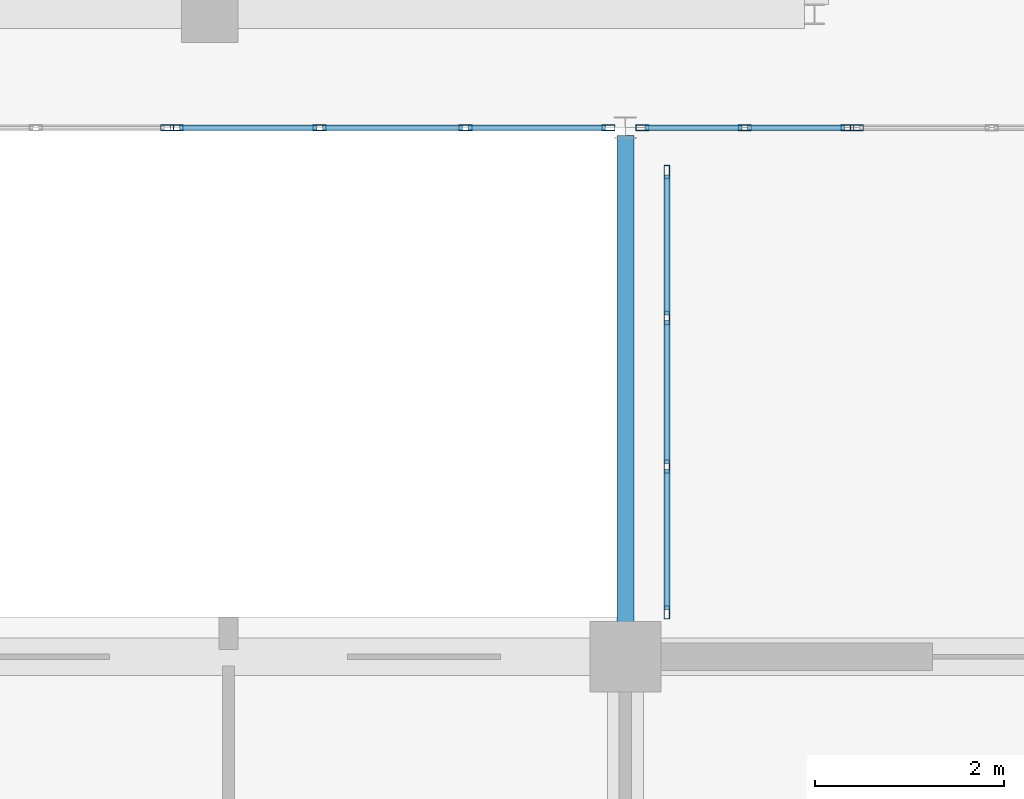
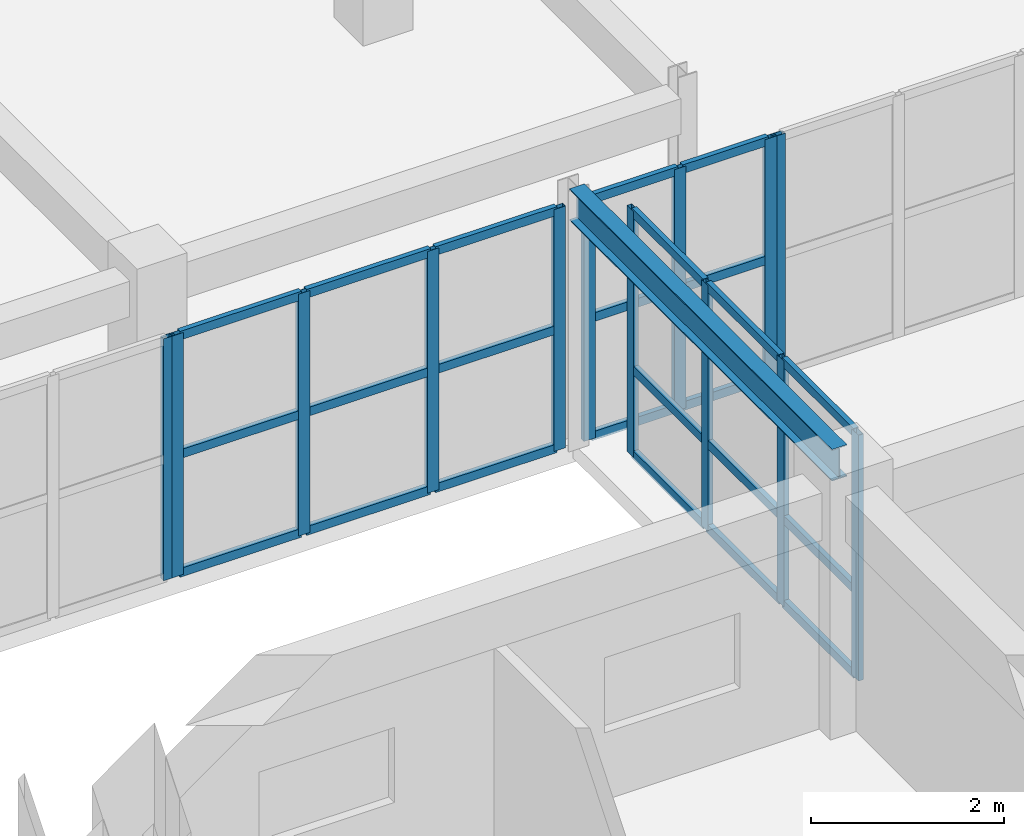
# One storey, part 33 of 200: 37 members, 1 beam, 5 elements without a shape of their own.
"""IFC4 building model written with IfcOpenShell, lengths in metres."""

import ifcopenshell
import ifcopenshell.guid

model = None  # the IFC model being written
_history = None  # IfcOwnerHistory: only IFC2X3 demands one
_inside = {}  # id of a spatial element -> (the spatial element, [elements in it])
_under = {}  # id of a project, library or spatial element -> (it, [spatial elements below it])
_declared = {}  # id of a project -> (the project, [libraries it declares])
_typed = {}  # id of a type object -> (the type object, [elements of that type])
_made_of = {}  # id of a material, layer set ... -> (it, [elements and type objects made of it])


def new_model(schema):
    """Start an empty IFC model of exactly this schema.

    Asked for "IFC4X3", IfcOpenShell would pick the latest addendum, in which some entities
    have other attributes; the version numbers below select the first issue.
    IFC2X3 requires an IfcOwnerHistory on every rooted entity: one is made here for all.
    """
    global model, _history
    if schema == "IFC4X3":
        model = ifcopenshell.file(schema_version=(4, 3, 0, 0))
    else:
        model = ifcopenshell.file(schema=schema)
    _inside.clear()
    _under.clear()
    _declared.clear()
    _typed.clear()
    _made_of.clear()
    _history = None
    if model.schema == "IFC2X3":
        org = make("IfcOrganization", Name="unknown")
        user = make(
            "IfcPersonAndOrganization",
            ThePerson=make("IfcPerson", FamilyName="unknown"),
            TheOrganization=org,
        )
        app = make(
            "IfcApplication",
            ApplicationDeveloper=org,
            Version="unknown",
            ApplicationFullName="unknown",
            ApplicationIdentifier="unknown",
        )
        _history = make(
            "IfcOwnerHistory",
            OwningUser=user,
            OwningApplication=app,
            ChangeAction="ADDED",
            CreationDate=0,
        )
    return model


def make(cls, **values):
    """One entity of the class cls with the attributes given. An attribute that is None is left unset."""
    return model.create_entity(
        cls, **{name: value for name, value in values.items() if value is not None}
    )


def rooted(cls, **values):
    """An entity with a GlobalId (a new one), such as an element, a storey or a relation."""
    return make(cls, GlobalId=ifcopenshell.guid.new(), OwnerHistory=_history, **values)


def si_unit(unit_type, name, prefix=None):
    """IfcSIUnit, for example si_unit("LENGTHUNIT", "METRE", prefix="MILLI")."""
    return make("IfcSIUnit", UnitType=unit_type, Prefix=prefix, Name=name)


def assignment(units):
    """IfcUnitAssignment: the units of a project."""
    return None if units is None else make("IfcUnitAssignment", Units=units)


def point(xyz):
    """IfcCartesianPoint."""
    return None if xyz is None else make("IfcCartesianPoint", Coordinates=xyz)


def direction(xyz):
    """IfcDirection."""
    return None if xyz is None else make("IfcDirection", DirectionRatios=xyz)


def frame(location, z_axis=None, x_axis=None):
    """IfcAxis2Placement3D, a coordinate frame: its origin and axes. An axis left out is left unset."""
    return make(
        "IfcAxis2Placement3D",
        Location=point(location),
        Axis=direction(z_axis),
        RefDirection=direction(x_axis),
    )


def frame_2d(location, x_axis=None):
    """IfcAxis2Placement2D, a coordinate frame in the plane: its origin and x axis."""
    return make(
        "IfcAxis2Placement2D", Location=point(location), RefDirection=direction(x_axis)
    )


def origin():
    """The frame at (0, 0, 0) with its axes left unset."""
    return frame((0.0, 0.0, 0.0))


def origin_2d():
    """The frame at (0, 0) in the plane with its x axis left unset."""
    return frame_2d((0.0, 0.0))


def place(relative_to, where):
    """IfcLocalPlacement: puts the frame where relative to a parent placement (None: the world)."""
    return make(
        "IfcLocalPlacement", PlacementRelTo=relative_to, RelativePlacement=where
    )


def context(
    kind, dimensions, precision=None, world=None, true_north=None, identifier=None
):
    """IfcGeometricRepresentationContext, for example the 3D "Model" context."""
    return make(
        "IfcGeometricRepresentationContext",
        ContextIdentifier=identifier,
        ContextType=kind,
        CoordinateSpaceDimension=dimensions,
        Precision=precision,
        WorldCoordinateSystem=world,
        TrueNorth=true_north,
    )


def subcontext(parent, identifier, kind, view, scale=None):
    """IfcGeometricRepresentationSubContext, for example "Body" below "Model"."""
    return make(
        "IfcGeometricRepresentationSubContext",
        ContextIdentifier=identifier,
        ContextType=kind,
        ParentContext=parent,
        TargetScale=scale,
        TargetView=view,
    )


def project(units=None, contexts=None):
    """IfcProject with its units and contexts."""
    return rooted(
        "IfcProject",
        Name="project",
        RepresentationContexts=contexts,
        UnitsInContext=assignment(units),
    )


def spatial(cls, under=None, at=None, **own):
    """A site, building, storey or space (cls), placed at a placement, below another one or the project."""
    s = rooted(cls, ObjectPlacement=at, **own)
    if under is not None:
        _under.setdefault(under.id(), (under, []))[1].append(s)
    return s


def profile(cls, at=None, kind="AREA", **sizes):
    """A parametric profile (cls). Its sizes go by their IFC names, for example OverallWidth=200.0."""
    return make(cls, ProfileType=kind, Position=at, **sizes)


def hollow_rectangle(**sizes):
    """IfcRectangleHollowProfileDef."""
    return profile("IfcRectangleHollowProfileDef", **sizes)


def i_section(**sizes):
    """IfcIShapeProfileDef."""
    return profile("IfcIShapeProfileDef", **sizes)


def extrude(swept, where, along, depth):
    """IfcExtrudedAreaSolid: the profile swept, set in the frame where, extruded along a direction by depth."""
    return make(
        "IfcExtrudedAreaSolid",
        SweptArea=swept,
        Position=where,
        ExtrudedDirection=direction(along),
        Depth=depth,
    )


def shape(context_of_items, identifier, shape_type, items):
    """IfcShapeRepresentation: the items that make up one representation, for example the "Body"."""
    return make(
        "IfcShapeRepresentation",
        ContextOfItems=context_of_items,
        RepresentationIdentifier=identifier,
        RepresentationType=shape_type,
        Items=items,
    )


def material(Name=None, Category=None):
    """IfcMaterial."""
    return make("IfcMaterial", Name=Name, Category=Category)


def layer(
    of_material, thickness, ventilated=None, Name=None, Category=None, Priority=None
):
    """IfcMaterialLayer: one layer of a wall or slab, of a material (None: an air gap)."""
    return make(
        "IfcMaterialLayer",
        Material=of_material,
        LayerThickness=thickness,
        IsVentilated=ventilated,
        Name=Name,
        Category=Category,
        Priority=Priority,
    )


def layer_set(layers, Name=None):
    """IfcMaterialLayerSet."""
    return make("IfcMaterialLayerSet", MaterialLayers=layers, LayerSetName=Name)


def material_profile(
    of_material, cross_section, Name=None, Category=None, Priority=None
):
    """IfcMaterialProfile: a cross section and its material."""
    return make(
        "IfcMaterialProfile",
        Name=Name,
        Material=of_material,
        Profile=cross_section,
        Priority=Priority,
        Category=Category,
    )


def profile_set(profiles, Name=None, composite=None):
    """IfcMaterialProfileSet."""
    return make(
        "IfcMaterialProfileSet",
        Name=Name,
        MaterialProfiles=profiles,
        CompositeProfile=composite,
    )


def made_of(thing, what):
    """Note that an element or type object is made of a material, layer set ...; save() writes the relation."""
    if what is not None:
        _made_of.setdefault(what.id(), (what, []))[1].append(thing)
    return thing


def type_object(cls, material=None, **own):
    """A type object (cls), such as IfcWallType, which elements share."""
    return made_of(rooted(cls, **own), material)


def element(
    cls,
    number,
    at=None,
    inside=None,
    cuts=None,
    type_object=None,
    material=None,
    context=None,
    identifier="Body",
    shape_type=None,
    held_by="IfcProductDefinitionShape",
    body=None,
    shapes=None,
    **own,
):
    """One element of the class cls, such as IfcWall. Its Tag is "e" and its number.

    at: its placement. inside: the storey or other place that contains it. cuts: it is an
    opening in that element (IfcRelVoidsElement). A single representation is given by context,
    identifier, shape_type and body (its items); several are given by shapes. held_by: the class
    of the entity that holds the representations. save() writes the other relations.
    """
    e = rooted(cls, Tag="e%d" % number, ObjectPlacement=at, **own)
    if body is not None:
        shapes = [shape(context, identifier, shape_type, body)]
    if shapes is not None:
        e.Representation = make(held_by, Representations=shapes)
    if inside is not None:
        _inside.setdefault(inside.id(), (inside, []))[1].append(e)
    if cuts is not None:
        rooted(
            "IfcRelVoidsElement", RelatingBuildingElement=cuts, RelatedOpeningElement=e
        )
    if type_object is not None:
        _typed.setdefault(type_object.id(), (type_object, []))[1].append(e)
    return made_of(e, material)


def aggregate(whole, parts):
    """IfcRelAggregates: a whole, such as a stair, and the parts it consists of."""
    return rooted("IfcRelAggregates", RelatingObject=whole, RelatedObjects=parts)


def save(model, path):
    """Write the relations noted so far, then the file.

    IfcRelAggregates (storeys below a building ...), IfcRelContainedInSpatialStructure (elements
    in a storey), IfcRelDefinesByType, IfcRelAssociatesMaterial and IfcRelDeclares: one each for
    every whole, place, type object, material and project.
    """
    for whole, parts in _under.values():
        aggregate(whole, parts)
    for where, things in _inside.values():
        rooted(
            "IfcRelContainedInSpatialStructure",
            RelatedElements=things,
            RelatingStructure=where,
        )
    for kind, things in _typed.values():
        rooted("IfcRelDefinesByType", RelatedObjects=things, RelatingType=kind)
    for what, things in _made_of.values():
        rooted("IfcRelAssociatesMaterial", RelatedObjects=things, RelatingMaterial=what)
    for by, libraries in _declared.values():
        rooted("IfcRelDeclares", RelatingContext=by, RelatedDefinitions=libraries)
    model.write(path)


model = new_model("IFC4")

# Units and contexts
model_context = context("Model", 3, precision=1e-05, world=origin(), true_north=direction((0.0, 1.0)))
body_context = subcontext(model_context, "Body", "Model", "MODEL_VIEW")
ifc_project = project(units=[si_unit("LENGTHUNIT", "METRE"), si_unit("AREAUNIT", "SQUARE_METRE"), si_unit("VOLUMEUNIT", "CUBIC_METRE"), si_unit("PLANEANGLEUNIT", "RADIAN"), si_unit("MASSUNIT", "GRAM", prefix="KILO")], contexts=[model_context])

# Site, building, storey
site_placement = place(None, origin())
site = spatial("IfcSite", under=ifc_project, at=site_placement, CompositionType="ELEMENT")
building_placement = place(site_placement, origin())
building = spatial("IfcBuilding", under=site, at=building_placement, Name="Trelvath General Hospital", CompositionType="ELEMENT")
storey_placement = place(building_placement, frame((0.0, 0.0, 4.800048828125)))
storey = spatial("IfcBuildingStorey", under=building, at=storey_placement, Name="L01", CompositionType="ELEMENT", Elevation=4.800048828125)

# Beam
ifc_material_1 = material(Name="Steel S355", Category="steel")
ifc_material_profile_1 = material_profile(ifc_material_1, i_section(OverallWidth=0.179931640625, OverallDepth=0.39990234375, WebThickness=0.008544921875, FlangeThickness=0.013427734375, at=origin_2d()), Name="IPE400")
ifc_profile_set_1 = profile_set([ifc_material_profile_1], Name="Steel S355")
beam_type = type_object("IfcBeamType", Name="BridgeGirder IPE400", PredefinedType="BEAM", material=ifc_profile_set_1)
beam_placement = place(storey_placement, frame((58.800048828125, 25.280029296875, 3.099853515625), z_axis=(0.0, 1.0, 0.0), x_axis=(-1.0, 0.0, 0.0)))
element("IfcBeam", 1, at=beam_placement, inside=storey, type_object=beam_type, Name="Bridge Roof Girder BRG-S-W W", PredefinedType="BEAM", context=body_context, shape_type="SweptSolid", body=[
    extrude(i_section(OverallWidth=0.179931640625, OverallDepth=0.39990234375, WebThickness=0.008544921875, FlangeThickness=0.013427734375, at=origin_2d()), origin(), (0.0, 0.0, 1.0), 5.43994140625),
])

# Curtain wall, member
ifc_material_2 = material(Name="Anodised aluminium and low-E glass", Category="aluminium")
ifc_layer_1 = layer(ifc_material_2, 0.14990234375)
ifc_layer_set_1 = layer_set([ifc_layer_1], Name="Anodised aluminium and low-E glass")
curtain_wall_type_1 = type_object("IfcCurtainWallType", Name="CW CrystalCube 710 306 15", PredefinedType="USERDEFINED", material=ifc_layer_set_1)
curtain_wall_1_placement = place(storey_placement, origin())
curtain_wall_1 = element("IfcCurtainWall", 2, at=curtain_wall_1_placement, inside=storey, type_object=curtain_wall_type_1, Name="Crystal Cube Curtain Wall CUBE-W-T0 S1 L01", ObjectType="Unitised Glazed Curtain Wall", PredefinedType="USERDEFINED")
ifc_material_3 = material(Name="Anodised aluminium", Category="aluminium")
ifc_material_profile_2 = material_profile(ifc_material_3, hollow_rectangle(XDim=0.06005859375, YDim=0.139892578125, WallThickness=0.00390625, at=origin_2d()), Name="RHS60x140x4")
ifc_profile_set_2 = profile_set([ifc_material_profile_2], Name="Anodised aluminium")
member_type_1 = type_object("IfcMemberType", Name="CurtainMullion 60x140", PredefinedType="MULLION", material=ifc_profile_set_2)
member_1_placement = place(storey_placement, frame((53.949951171875, 30.800048828125, 0.0), z_axis=(0.0, 0.0, 1.0), x_axis=(0.0, -1.0, 0.0)))
member_1 = element("IfcMember", 3, at=member_1_placement, type_object=member_type_1, Name="CW-128 mullion 1", PredefinedType="MULLION", context=body_context, shape_type="SweptSolid", body=[
    extrude(hollow_rectangle(XDim=0.06005859375, YDim=0.139892578125, WallThickness=0.00390625, at=origin_2d()), origin(), (0.0, 0.0, 1.0), 3.06005859375),
])
aggregate(curtain_wall_1, [member_1])

# Curtain wall, members
ifc_material_4 = material(Name="Anodised aluminium and low-E glass", Category="aluminium")
ifc_layer_2 = layer(ifc_material_4, 0.14990234375)
ifc_layer_set_2 = layer_set([ifc_layer_2], Name="Anodised aluminium and low-E glass")
curtain_wall_type_2 = type_object("IfcCurtainWallType", Name="CW CrystalCube 463 306 15", PredefinedType="USERDEFINED", material=ifc_layer_set_2)
curtain_wall_2_placement = place(storey_placement, origin())
curtain_wall_2 = element("IfcCurtainWall", 4, at=curtain_wall_2_placement, inside=storey, type_object=curtain_wall_type_2, Name="Crystal Cube Curtain Wall CUBE-W-T0 S2 L01", ObjectType="Unitised Glazed Curtain Wall", PredefinedType="USERDEFINED")
member_2_placement = place(storey_placement, frame((58.6201171875, 30.800048828125, 0.0), z_axis=(0.0, 0.0, 1.0), x_axis=(0.0, -1.0, 0.0)))
member_2 = element("IfcMember", 5, at=member_2_placement, type_object=member_type_1, Name="CW-129 mullion 1", PredefinedType="MULLION", context=body_context, shape_type="SweptSolid", body=[
    extrude(hollow_rectangle(XDim=0.06005859375, YDim=0.139892578125, WallThickness=0.00390625, at=origin_2d()), origin(), (0.0, 0.0, 1.0), 3.06005859375),
])
member_3_placement = place(storey_placement, frame((57.106689453125, 30.800048828125, 0.0), z_axis=(0.0, 0.0, 1.0), x_axis=(0.0, -1.0, 0.0)))
member_3 = element("IfcMember", 6, at=member_3_placement, type_object=member_type_1, Name="CW-129 mullion 2", PredefinedType="MULLION", context=body_context, shape_type="SweptSolid", body=[
    extrude(hollow_rectangle(XDim=0.06005859375, YDim=0.139892578125, WallThickness=0.00390625, at=origin_2d()), origin(), (0.0, 0.0, 1.0), 3.06005859375),
])
member_4_placement = place(storey_placement, frame((55.563232421875, 30.800048828125, 0.0), z_axis=(0.0, 0.0, 1.0), x_axis=(0.0, -1.0, 0.0)))
member_4 = element("IfcMember", 7, at=member_4_placement, type_object=member_type_1, Name="CW-129 mullion 3", PredefinedType="MULLION", context=body_context, shape_type="SweptSolid", body=[
    extrude(hollow_rectangle(XDim=0.06005859375, YDim=0.139892578125, WallThickness=0.00390625, at=origin_2d()), origin(), (0.0, 0.0, 1.0), 3.06005859375),
])
member_5_placement = place(storey_placement, frame((54.050048828125, 30.800048828125, 0.0), z_axis=(0.0, 0.0, 1.0), x_axis=(0.0, -1.0, 0.0)))
member_5 = element("IfcMember", 8, at=member_5_placement, type_object=member_type_1, Name="CW-129 mullion 4", PredefinedType="MULLION", context=body_context, shape_type="SweptSolid", body=[
    extrude(hollow_rectangle(XDim=0.06005859375, YDim=0.139892578125, WallThickness=0.00390625, at=origin_2d()), origin(), (0.0, 0.0, 1.0), 3.06005859375),
])

ifc_material_5 = material(Name="Anodised aluminium and low-E glass", Category="aluminium")
ifc_layer_3 = layer(ifc_material_5, 0.14990234375)
ifc_layer_set_3 = layer_set([ifc_layer_3], Name="Anodised aluminium and low-E glass")
curtain_wall_type_3 = type_object("IfcCurtainWallType", Name="CW CrystalCube 223 306 15", PredefinedType="USERDEFINED", material=ifc_layer_set_3)
curtain_wall_3_placement = place(storey_placement, origin())
curtain_wall_3 = element("IfcCurtainWall", 9, at=curtain_wall_3_placement, inside=storey, type_object=curtain_wall_type_3, Name="Crystal Cube Curtain Wall CUBE-W-T0 S3 L01", ObjectType="Unitised Glazed Curtain Wall", PredefinedType="USERDEFINED")
member_6_placement = place(storey_placement, frame((61.14990234375, 30.800048828125, 0.0), z_axis=(0.0, 0.0, 1.0), x_axis=(0.0, -1.0, 0.0)))
member_6 = element("IfcMember", 10, at=member_6_placement, type_object=member_type_1, Name="CW-130 mullion 1", PredefinedType="MULLION", context=body_context, shape_type="SweptSolid", body=[
    extrude(hollow_rectangle(XDim=0.06005859375, YDim=0.139892578125, WallThickness=0.00390625, at=origin_2d()), origin(), (0.0, 0.0, 1.0), 3.06005859375),
])
member_7_placement = place(storey_placement, frame((60.06494140625, 30.800048828125, 0.0), z_axis=(0.0, 0.0, 1.0), x_axis=(0.0, -1.0, 0.0)))
member_7 = element("IfcMember", 11, at=member_7_placement, type_object=member_type_1, Name="CW-130 mullion 2", PredefinedType="MULLION", context=body_context, shape_type="SweptSolid", body=[
    extrude(hollow_rectangle(XDim=0.06005859375, YDim=0.139892578125, WallThickness=0.00390625, at=origin_2d()), origin(), (0.0, 0.0, 1.0), 3.06005859375),
])
member_8_placement = place(storey_placement, frame((58.97998046875, 30.800048828125, 0.0), z_axis=(0.0, 0.0, 1.0), x_axis=(0.0, -1.0, 0.0)))
member_8 = element("IfcMember", 12, at=member_8_placement, type_object=member_type_1, Name="CW-130 mullion 3", PredefinedType="MULLION", context=body_context, shape_type="SweptSolid", body=[
    extrude(hollow_rectangle(XDim=0.06005859375, YDim=0.139892578125, WallThickness=0.00390625, at=origin_2d()), origin(), (0.0, 0.0, 1.0), 3.06005859375),
])

# Curtain wall, member
ifc_material_6 = material(Name="Anodised aluminium and low-E glass", Category="aluminium")
ifc_layer_4 = layer(ifc_material_6, 0.14990234375)
ifc_layer_set_4 = layer_set([ifc_layer_4], Name="Anodised aluminium and low-E glass")
curtain_wall_type_4 = type_object("IfcCurtainWallType", Name="CW CrystalCube 583 306 15", PredefinedType="USERDEFINED", material=ifc_layer_set_4)
curtain_wall_4_placement = place(storey_placement, origin())
curtain_wall_4 = element("IfcCurtainWall", 13, at=curtain_wall_4_placement, inside=storey, type_object=curtain_wall_type_4, Name="Crystal Cube Curtain Wall CUBE-W-T0 S4 L01", ObjectType="Unitised Glazed Curtain Wall", PredefinedType="USERDEFINED")
member_9_placement = place(storey_placement, frame((61.25, 30.800048828125, 0.0), z_axis=(0.0, 0.0, 1.0), x_axis=(0.0, -1.0, 0.0)))
member_9 = element("IfcMember", 14, at=member_9_placement, type_object=member_type_1, Name="CW-131 mullion 5", PredefinedType="MULLION", context=body_context, shape_type="SweptSolid", body=[
    extrude(hollow_rectangle(XDim=0.06005859375, YDim=0.139892578125, WallThickness=0.00390625, at=origin_2d()), origin(), (0.0, 0.0, 1.0), 3.06005859375),
])
aggregate(curtain_wall_4, [member_9])

# Curtain wall, members
ifc_material_7 = material(Name="Anodised aluminium and low-E glass", Category="aluminium")
ifc_layer_5 = layer(ifc_material_7, 0.139892578125)
ifc_layer_set_5 = layer_set([ifc_layer_5], Name="Anodised aluminium and low-E glass")
curtain_wall_type_5 = type_object("IfcCurtainWallType", Name="CW Bridge 472 311", PredefinedType="USERDEFINED", material=ifc_layer_set_5)
curtain_wall_5_placement = place(storey_placement, origin())
curtain_wall_5 = element("IfcCurtainWall", 15, at=curtain_wall_5_placement, inside=storey, type_object=curtain_wall_type_5, Name="Glazed Bridge Curtain Wall BRG-S-W W L01", ObjectType="Unitised Glazed Curtain Wall", PredefinedType="USERDEFINED")
member_10_placement = place(storey_placement, frame((59.239990234375, 25.669921875, 0.0), z_axis=(0.0, 0.0, 1.0), x_axis=(-1.0, 0.0, 0.0)))
member_10 = element("IfcMember", 16, at=member_10_placement, type_object=member_type_1, Name="CW-184 mullion 1", PredefinedType="MULLION", context=body_context, shape_type="SweptSolid", body=[
    extrude(hollow_rectangle(XDim=0.06005859375, YDim=0.139892578125, WallThickness=0.00390625, at=origin_2d()), origin(), (0.0, 0.0, 1.0), 3.10986328125),
])
member_11_placement = place(storey_placement, frame((59.239990234375, 27.21337890625, 0.0), z_axis=(0.0, 0.0, 1.0), x_axis=(-1.0, 0.0, 0.0)))
member_11 = element("IfcMember", 17, at=member_11_placement, type_object=member_type_1, Name="CW-184 mullion 2", PredefinedType="MULLION", context=body_context, shape_type="SweptSolid", body=[
    extrude(hollow_rectangle(XDim=0.06005859375, YDim=0.139892578125, WallThickness=0.00390625, at=origin_2d()), origin(), (0.0, 0.0, 1.0), 3.10986328125),
])
member_12_placement = place(storey_placement, frame((59.239990234375, 28.78662109375, 0.0), z_axis=(0.0, 0.0, 1.0), x_axis=(-1.0, 0.0, 0.0)))
member_12 = element("IfcMember", 18, at=member_12_placement, type_object=member_type_1, Name="CW-184 mullion 3", PredefinedType="MULLION", context=body_context, shape_type="SweptSolid", body=[
    extrude(hollow_rectangle(XDim=0.06005859375, YDim=0.139892578125, WallThickness=0.00390625, at=origin_2d()), origin(), (0.0, 0.0, 1.0), 3.10986328125),
])
member_13_placement = place(storey_placement, frame((59.239990234375, 30.330078125, 0.0), z_axis=(0.0, 0.0, 1.0), x_axis=(-1.0, 0.0, 0.0)))
member_13 = element("IfcMember", 19, at=member_13_placement, type_object=member_type_1, Name="CW-184 mullion 4", PredefinedType="MULLION", context=body_context, shape_type="SweptSolid", body=[
    extrude(hollow_rectangle(XDim=0.06005859375, YDim=0.139892578125, WallThickness=0.00390625, at=origin_2d()), origin(), (0.0, 0.0, 1.0), 3.10986328125),
])

# Member
ifc_material_8 = material(Name="Anodised aluminium", Category="aluminium")
ifc_material_profile_3 = material_profile(ifc_material_8, hollow_rectangle(XDim=0.06005859375, YDim=0.110107421875, WallThickness=0.00390625, at=origin_2d()), Name="RHS60x110x4")
ifc_profile_set_3 = profile_set([ifc_material_profile_3], Name="Anodised aluminium")
member_type_2 = type_object("IfcMemberType", Name="CurtainTransom 60x110", PredefinedType="USERDEFINED", material=ifc_profile_set_3)
member_14_placement = place(storey_placement, frame((58.590087890625, 30.800048828125, 0.030029296875), z_axis=(-1.0, 0.0, 0.0), x_axis=(0.0, -1.0, 0.0)))
member_14 = element("IfcMember", 20, at=member_14_placement, type_object=member_type_2, Name="CW-129 transom 1.1", ObjectType="TRANSOM", PredefinedType="USERDEFINED", context=body_context, shape_type="SweptSolid", body=[
    extrude(hollow_rectangle(XDim=0.06005859375, YDim=0.110107421875, WallThickness=0.00390625, at=origin_2d()), origin(), (0.0, 0.0, 1.0), 1.453369140625),
])

member_15_placement = place(storey_placement, frame((58.590087890625, 30.800048828125, 1.530029296875), z_axis=(-1.0, 0.0, 0.0), x_axis=(0.0, -1.0, 0.0)))
member_15 = element("IfcMember", 21, at=member_15_placement, type_object=member_type_2, Name="CW-129 transom 1.2", ObjectType="TRANSOM", PredefinedType="USERDEFINED", context=body_context, shape_type="SweptSolid", body=[
    extrude(hollow_rectangle(XDim=0.06005859375, YDim=0.110107421875, WallThickness=0.00390625, at=origin_2d()), origin(), (0.0, 0.0, 1.0), 1.453369140625),
])

member_16_placement = place(storey_placement, frame((58.590087890625, 30.800048828125, 3.030029296875), z_axis=(-1.0, 0.0, 0.0), x_axis=(0.0, -1.0, 0.0)))
member_16 = element("IfcMember", 22, at=member_16_placement, type_object=member_type_2, Name="CW-129 transom 1.3", ObjectType="TRANSOM", PredefinedType="USERDEFINED", context=body_context, shape_type="SweptSolid", body=[
    extrude(hollow_rectangle(XDim=0.06005859375, YDim=0.110107421875, WallThickness=0.00390625, at=origin_2d()), origin(), (0.0, 0.0, 1.0), 1.453369140625),
])

member_17_placement = place(storey_placement, frame((57.07666015625, 30.800048828125, 0.030029296875), z_axis=(-1.0, 0.0, 0.0), x_axis=(0.0, -1.0, 0.0)))
member_17 = element("IfcMember", 23, at=member_17_placement, type_object=member_type_2, Name="CW-129 transom 2.1", ObjectType="TRANSOM", PredefinedType="USERDEFINED", context=body_context, shape_type="SweptSolid", body=[
    extrude(hollow_rectangle(XDim=0.06005859375, YDim=0.110107421875, WallThickness=0.00390625, at=origin_2d()), origin(), (0.0, 0.0, 1.0), 1.4833984375),
])

member_18_placement = place(storey_placement, frame((57.07666015625, 30.800048828125, 1.530029296875), z_axis=(-1.0, 0.0, 0.0), x_axis=(0.0, -1.0, 0.0)))
member_18 = element("IfcMember", 24, at=member_18_placement, type_object=member_type_2, Name="CW-129 transom 2.2", ObjectType="TRANSOM", PredefinedType="USERDEFINED", context=body_context, shape_type="SweptSolid", body=[
    extrude(hollow_rectangle(XDim=0.06005859375, YDim=0.110107421875, WallThickness=0.00390625, at=origin_2d()), origin(), (0.0, 0.0, 1.0), 1.4833984375),
])

member_19_placement = place(storey_placement, frame((57.07666015625, 30.800048828125, 3.030029296875), z_axis=(-1.0, 0.0, 0.0), x_axis=(0.0, -1.0, 0.0)))
member_19 = element("IfcMember", 25, at=member_19_placement, type_object=member_type_2, Name="CW-129 transom 2.3", ObjectType="TRANSOM", PredefinedType="USERDEFINED", context=body_context, shape_type="SweptSolid", body=[
    extrude(hollow_rectangle(XDim=0.06005859375, YDim=0.110107421875, WallThickness=0.00390625, at=origin_2d()), origin(), (0.0, 0.0, 1.0), 1.4833984375),
])

member_20_placement = place(storey_placement, frame((55.533447265625, 30.800048828125, 0.030029296875), z_axis=(-1.0, 0.0, 0.0), x_axis=(0.0, -1.0, 0.0)))
member_20 = element("IfcMember", 26, at=member_20_placement, type_object=member_type_2, Name="CW-129 transom 3.1", ObjectType="TRANSOM", PredefinedType="USERDEFINED", context=body_context, shape_type="SweptSolid", body=[
    extrude(hollow_rectangle(XDim=0.06005859375, YDim=0.110107421875, WallThickness=0.00390625, at=origin_2d()), origin(), (0.0, 0.0, 1.0), 1.453369140625),
])

member_21_placement = place(storey_placement, frame((55.533447265625, 30.800048828125, 1.530029296875), z_axis=(-1.0, 0.0, 0.0), x_axis=(0.0, -1.0, 0.0)))
member_21 = element("IfcMember", 27, at=member_21_placement, type_object=member_type_2, Name="CW-129 transom 3.2", ObjectType="TRANSOM", PredefinedType="USERDEFINED", context=body_context, shape_type="SweptSolid", body=[
    extrude(hollow_rectangle(XDim=0.06005859375, YDim=0.110107421875, WallThickness=0.00390625, at=origin_2d()), origin(), (0.0, 0.0, 1.0), 1.453369140625),
])

member_22_placement = place(storey_placement, frame((55.533447265625, 30.800048828125, 3.030029296875), z_axis=(-1.0, 0.0, 0.0), x_axis=(0.0, -1.0, 0.0)))
member_22 = element("IfcMember", 28, at=member_22_placement, type_object=member_type_2, Name="CW-129 transom 3.3", ObjectType="TRANSOM", PredefinedType="USERDEFINED", context=body_context, shape_type="SweptSolid", body=[
    extrude(hollow_rectangle(XDim=0.06005859375, YDim=0.110107421875, WallThickness=0.00390625, at=origin_2d()), origin(), (0.0, 0.0, 1.0), 1.453369140625),
])

aggregate(curtain_wall_2, [member_2, member_3, member_4, member_5, member_14, member_15, member_16, member_17, member_18, member_19, member_20, member_21, member_22])

member_23_placement = place(storey_placement, frame((61.1201171875, 30.800048828125, 0.030029296875), z_axis=(-1.0, 0.0, 0.0), x_axis=(0.0, -1.0, 0.0)))
member_23 = element("IfcMember", 29, at=member_23_placement, type_object=member_type_2, Name="CW-130 transom 1.1", ObjectType="TRANSOM", PredefinedType="USERDEFINED", context=body_context, shape_type="SweptSolid", body=[
    extrude(hollow_rectangle(XDim=0.06005859375, YDim=0.110107421875, WallThickness=0.00390625, at=origin_2d()), origin(), (0.0, 0.0, 1.0), 1.025146484375),
])

member_24_placement = place(storey_placement, frame((61.1201171875, 30.800048828125, 1.530029296875), z_axis=(-1.0, 0.0, 0.0), x_axis=(0.0, -1.0, 0.0)))
member_24 = element("IfcMember", 30, at=member_24_placement, type_object=member_type_2, Name="CW-130 transom 1.2", ObjectType="TRANSOM", PredefinedType="USERDEFINED", context=body_context, shape_type="SweptSolid", body=[
    extrude(hollow_rectangle(XDim=0.06005859375, YDim=0.110107421875, WallThickness=0.00390625, at=origin_2d()), origin(), (0.0, 0.0, 1.0), 1.025146484375),
])

member_25_placement = place(storey_placement, frame((61.1201171875, 30.800048828125, 3.030029296875), z_axis=(-1.0, 0.0, 0.0), x_axis=(0.0, -1.0, 0.0)))
member_25 = element("IfcMember", 31, at=member_25_placement, type_object=member_type_2, Name="CW-130 transom 1.3", ObjectType="TRANSOM", PredefinedType="USERDEFINED", context=body_context, shape_type="SweptSolid", body=[
    extrude(hollow_rectangle(XDim=0.06005859375, YDim=0.110107421875, WallThickness=0.00390625, at=origin_2d()), origin(), (0.0, 0.0, 1.0), 1.025146484375),
])

member_26_placement = place(storey_placement, frame((60.034912109375, 30.800048828125, 0.030029296875), z_axis=(-1.0, 0.0, 0.0), x_axis=(0.0, -1.0, 0.0)))
member_26 = element("IfcMember", 32, at=member_26_placement, type_object=member_type_2, Name="CW-130 transom 2.1", ObjectType="TRANSOM", PredefinedType="USERDEFINED", context=body_context, shape_type="SweptSolid", body=[
    extrude(hollow_rectangle(XDim=0.06005859375, YDim=0.110107421875, WallThickness=0.00390625, at=origin_2d()), origin(), (0.0, 0.0, 1.0), 1.02490234375),
])

member_27_placement = place(storey_placement, frame((60.034912109375, 30.800048828125, 1.530029296875), z_axis=(-1.0, 0.0, 0.0), x_axis=(0.0, -1.0, 0.0)))
member_27 = element("IfcMember", 33, at=member_27_placement, type_object=member_type_2, Name="CW-130 transom 2.2", ObjectType="TRANSOM", PredefinedType="USERDEFINED", context=body_context, shape_type="SweptSolid", body=[
    extrude(hollow_rectangle(XDim=0.06005859375, YDim=0.110107421875, WallThickness=0.00390625, at=origin_2d()), origin(), (0.0, 0.0, 1.0), 1.02490234375),
])

member_28_placement = place(storey_placement, frame((60.034912109375, 30.800048828125, 3.030029296875), z_axis=(-1.0, 0.0, 0.0), x_axis=(0.0, -1.0, 0.0)))
member_28 = element("IfcMember", 34, at=member_28_placement, type_object=member_type_2, Name="CW-130 transom 2.3", ObjectType="TRANSOM", PredefinedType="USERDEFINED", context=body_context, shape_type="SweptSolid", body=[
    extrude(hollow_rectangle(XDim=0.06005859375, YDim=0.110107421875, WallThickness=0.00390625, at=origin_2d()), origin(), (0.0, 0.0, 1.0), 1.02490234375),
])

aggregate(curtain_wall_3, [member_6, member_7, member_8, member_23, member_24, member_25, member_26, member_27, member_28])

member_29_placement = place(storey_placement, frame((59.239990234375, 25.699951171875, 0.030029296875), z_axis=(0.0, 1.0, 0.0), x_axis=(-1.0, 0.0, 0.0)))
member_29 = element("IfcMember", 35, at=member_29_placement, type_object=member_type_2, Name="CW-184 transom 1.1", ObjectType="TRANSOM", PredefinedType="USERDEFINED", context=body_context, shape_type="SweptSolid", body=[
    extrude(hollow_rectangle(XDim=0.06005859375, YDim=0.110107421875, WallThickness=0.00390625, at=origin_2d()), origin(), (0.0, 0.0, 1.0), 1.4833984375),
])

member_30_placement = place(storey_placement, frame((59.239990234375, 25.699951171875, 1.099853515625), z_axis=(0.0, 1.0, 0.0), x_axis=(-1.0, 0.0, 0.0)))
member_30 = element("IfcMember", 36, at=member_30_placement, type_object=member_type_2, Name="CW-184 transom 1.2", ObjectType="TRANSOM", PredefinedType="USERDEFINED", context=body_context, shape_type="SweptSolid", body=[
    extrude(hollow_rectangle(XDim=0.06005859375, YDim=0.110107421875, WallThickness=0.00390625, at=origin_2d()), origin(), (0.0, 0.0, 1.0), 1.4833984375),
])

member_31_placement = place(storey_placement, frame((59.239990234375, 25.699951171875, 3.079833984375), z_axis=(0.0, 1.0, 0.0), x_axis=(-1.0, 0.0, 0.0)))
member_31 = element("IfcMember", 37, at=member_31_placement, type_object=member_type_2, Name="CW-184 transom 1.3", ObjectType="TRANSOM", PredefinedType="USERDEFINED", context=body_context, shape_type="SweptSolid", body=[
    extrude(hollow_rectangle(XDim=0.06005859375, YDim=0.110107421875, WallThickness=0.00390625, at=origin_2d()), origin(), (0.0, 0.0, 1.0), 1.4833984375),
])

member_32_placement = place(storey_placement, frame((59.239990234375, 27.243408203125, 0.030029296875), z_axis=(0.0, 1.0, 0.0), x_axis=(-1.0, 0.0, 0.0)))
member_32 = element("IfcMember", 38, at=member_32_placement, type_object=member_type_2, Name="CW-184 transom 2.1", ObjectType="TRANSOM", PredefinedType="USERDEFINED", context=body_context, shape_type="SweptSolid", body=[
    extrude(hollow_rectangle(XDim=0.06005859375, YDim=0.110107421875, WallThickness=0.00390625, at=origin_2d()), origin(), (0.0, 0.0, 1.0), 1.51318359375),
])

member_33_placement = place(storey_placement, frame((59.239990234375, 27.243408203125, 1.099853515625), z_axis=(0.0, 1.0, 0.0), x_axis=(-1.0, 0.0, 0.0)))
member_33 = element("IfcMember", 39, at=member_33_placement, type_object=member_type_2, Name="CW-184 transom 2.2", ObjectType="TRANSOM", PredefinedType="USERDEFINED", context=body_context, shape_type="SweptSolid", body=[
    extrude(hollow_rectangle(XDim=0.06005859375, YDim=0.110107421875, WallThickness=0.00390625, at=origin_2d()), origin(), (0.0, 0.0, 1.0), 1.51318359375),
])

member_34_placement = place(storey_placement, frame((59.239990234375, 27.243408203125, 3.079833984375), z_axis=(0.0, 1.0, 0.0), x_axis=(-1.0, 0.0, 0.0)))
member_34 = element("IfcMember", 40, at=member_34_placement, type_object=member_type_2, Name="CW-184 transom 2.3", ObjectType="TRANSOM", PredefinedType="USERDEFINED", context=body_context, shape_type="SweptSolid", body=[
    extrude(hollow_rectangle(XDim=0.06005859375, YDim=0.110107421875, WallThickness=0.00390625, at=origin_2d()), origin(), (0.0, 0.0, 1.0), 1.51318359375),
])

member_35_placement = place(storey_placement, frame((59.239990234375, 28.816650390625, 0.030029296875), z_axis=(0.0, 1.0, 0.0), x_axis=(-1.0, 0.0, 0.0)))
member_35 = element("IfcMember", 41, at=member_35_placement, type_object=member_type_2, Name="CW-184 transom 3.1", ObjectType="TRANSOM", PredefinedType="USERDEFINED", context=body_context, shape_type="SweptSolid", body=[
    extrude(hollow_rectangle(XDim=0.06005859375, YDim=0.110107421875, WallThickness=0.00390625, at=origin_2d()), origin(), (0.0, 0.0, 1.0), 1.4833984375),
])

member_36_placement = place(storey_placement, frame((59.239990234375, 28.816650390625, 1.099853515625), z_axis=(0.0, 1.0, 0.0), x_axis=(-1.0, 0.0, 0.0)))
member_36 = element("IfcMember", 42, at=member_36_placement, type_object=member_type_2, Name="CW-184 transom 3.2", ObjectType="TRANSOM", PredefinedType="USERDEFINED", context=body_context, shape_type="SweptSolid", body=[
    extrude(hollow_rectangle(XDim=0.06005859375, YDim=0.110107421875, WallThickness=0.00390625, at=origin_2d()), origin(), (0.0, 0.0, 1.0), 1.4833984375),
])

member_37_placement = place(storey_placement, frame((59.239990234375, 28.816650390625, 3.079833984375), z_axis=(0.0, 1.0, 0.0), x_axis=(-1.0, 0.0, 0.0)))
member_37 = element("IfcMember", 43, at=member_37_placement, type_object=member_type_2, Name="CW-184 transom 3.3", ObjectType="TRANSOM", PredefinedType="USERDEFINED", context=body_context, shape_type="SweptSolid", body=[
    extrude(hollow_rectangle(XDim=0.06005859375, YDim=0.110107421875, WallThickness=0.00390625, at=origin_2d()), origin(), (0.0, 0.0, 1.0), 1.4833984375),
])

aggregate(curtain_wall_5, [member_10, member_11, member_12, member_13, member_29, member_30, member_31, member_32, member_33, member_34, member_35, member_36, member_37])

save(model, "model.ifc")
